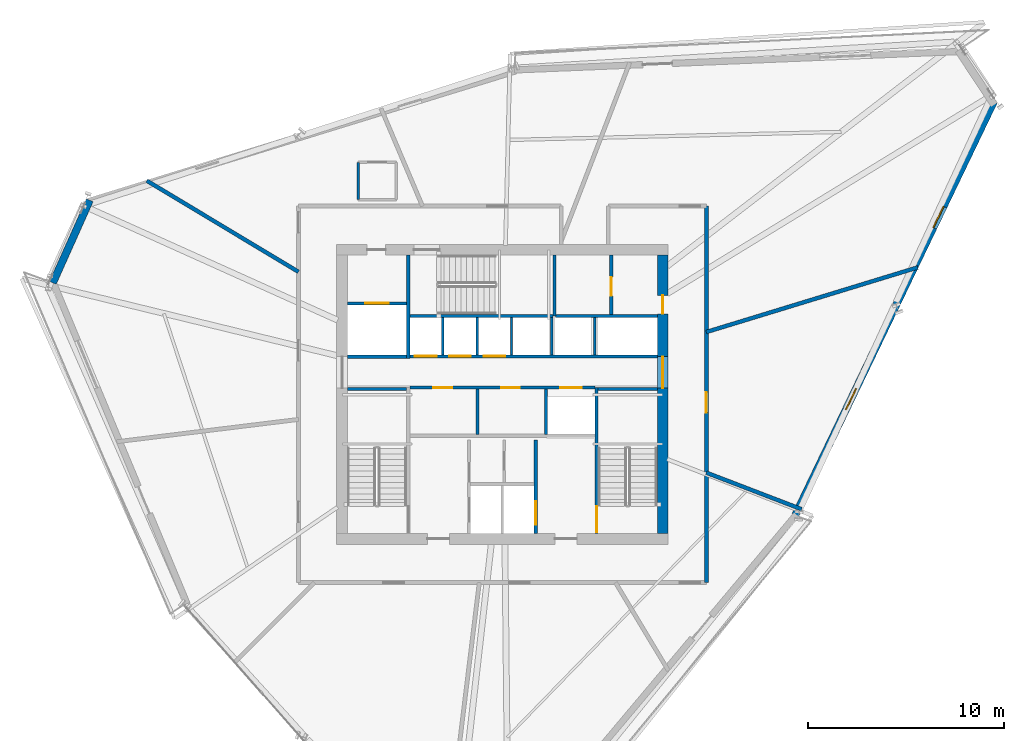
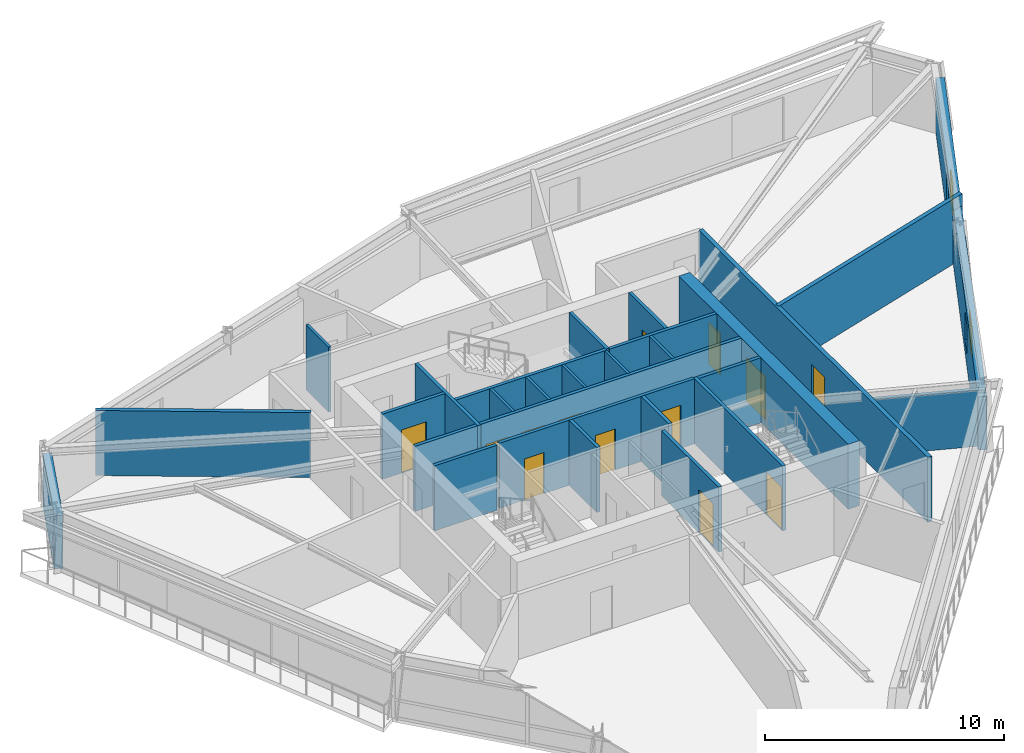
# One storey, part 9 of 13: 28 walls, 13 doors, 2 windows, 15 openings.
"""IFC4 building model written with IfcOpenShell, lengths in metres."""

from ifc_helpers import new_model, si_unit, direction, frame, frame_2d, origin, place, context, subcontext, project, spatial, rectangle, extrude, source, transform, mapped, material, layer, layer_set, type_object, type_shapes, element, fill, save


model = new_model("IFC4")

# Units and contexts
model_context = context("Model", 3, precision=1e-05, world=origin(), true_north=direction((0.0, 1.0)))
body_context = subcontext(model_context, "Body", "Model", "MODEL_VIEW")
ifc_project = project(units=[si_unit("LENGTHUNIT", "METRE"), si_unit("AREAUNIT", "SQUARE_METRE"), si_unit("VOLUMEUNIT", "CUBIC_METRE"), si_unit("PLANEANGLEUNIT", "RADIAN"), si_unit("MASSUNIT", "GRAM", prefix="KILO")], contexts=[model_context])

# Site, building, storey
site_placement = place(None, origin())
site = spatial("IfcSite", under=ifc_project, at=site_placement, CompositionType="ELEMENT")
building_placement = place(site_placement, origin())
building = spatial("IfcBuilding", under=site, at=building_placement, Name="Olszyna Solenne Hotel", CompositionType="ELEMENT")
storey_placement = place(building_placement, frame((0.0, 0.0, 171.449951171875)))
storey = spatial("IfcBuildingStorey", under=building, at=storey_placement, Name="L45", CompositionType="ELEMENT", Elevation=171.449951171875)

# Wall, openings, doors
ifc_material_1 = material(Name="Concrete C50/60", Category="concrete")
ifc_layer_1 = layer(ifc_material_1, 0.550048828125, Name="Concrete C50/60")
ifc_layer_set_1 = layer_set([ifc_layer_1], Name="Concrete C50/60")
wall_type_1 = type_object("IfcWallType", Name="WL-CR550", PredefinedType="SHEAR", material=ifc_layer_set_1)
wall_1_placement = place(storey_placement, frame((46.175048828125, 33.699951171875, 0.0), z_axis=(0.0, 0.0, 1.0), x_axis=(0.0, -1.0, 0.0)))
wall_1 = element("IfcWall", 1, at=wall_1_placement, inside=storey, type_object=wall_type_1, Name="Core shear wall WL-CR550 CRW-L45-E", PredefinedType="SHEAR", context=body_context, shape_type="SweptSolid", body=[
    extrude(rectangle(XDim=14.199951171875, YDim=0.550048828125, at=frame_2d((7.10009765625, 0.0))), origin(), (0.0, 0.0, 1.0), 3.330078125),
])
opening_1_placement = place(wall_1_placement, frame((5.179931640625, 0.0, 0.0)))
opening_1 = element("IfcOpeningElement", 2, at=opening_1_placement, cuts=wall_1, Name="Opening LHD-L45-E", PredefinedType="OPENING", context=body_context, shape_type="SweptSolid", body=[
    extrude(rectangle(XDim=1.60009765625, YDim=2.199951171875, at=frame_2d((0.800048828125, 1.10009765625))), frame((0.0, 0.28515625, 0.0), z_axis=(0.0, -1.0, 0.0), x_axis=(1.0, 0.0, 0.0)), (0.0, 0.0, 1.0), 0.570068359375),
])
opening_2_placement = place(wall_1_placement, frame((2.050048828125, 0.0, 0.0)))
opening_2 = element("IfcOpeningElement", 3, at=opening_2_placement, cuts=wall_1, Name="Opening SVD-L45-BE", PredefinedType="OPENING", context=body_context, shape_type="SweptSolid", body=[
    extrude(rectangle(XDim=0.949951171875, YDim=2.10009765625, at=frame_2d((0.47509765625, 1.050048828125))), frame((0.0, 0.28515625, 0.0), z_axis=(0.0, -1.0, 0.0), x_axis=(1.0, 0.0, 0.0)), (0.0, 0.0, 1.0), 0.570068359375),
])
ifc_material_2 = material(Name="Steel S355J2", Category="steel")
door_type_1 = type_object("IfcDoorType", Name="DR-SV1", OperationType="NOTDEFINED", PredefinedType="DOOR", material=ifc_material_2)
shared_shape_1 = source(origin(), body_context, "Body", "SweptSolid", [
    extrude(rectangle(XDim=0.949951171875, YDim=2.10009765625, at=frame_2d((0.47509765625, 1.050048828125))), frame((0.0, 0.02490234375, 0.0), z_axis=(0.0, -1.0, 0.0), x_axis=(1.0, 0.0, 0.0)), (0.0, 0.0, 1.0), 0.050048828125),
])
type_shapes(door_type_1, [shared_shape_1])
door_1_placement = place(opening_2_placement, origin())
door_1 = element("IfcDoor", 4, at=door_1_placement, inside=storey, type_object=door_type_1, Name="Housekeeping core fire door SVD-L45-BE", OperationType="SINGLE_SWING_RIGHT", OverallHeight=2.10009765625, OverallWidth=0.949951171875, PredefinedType="DOOR", context=body_context, shape_type="MappedRepresentation", body=[
    mapped(shared_shape_1, transform((0.0, 0.0, 0.0), x_axis=(1.0, 0.0, 0.0), y_axis=(0.0, 1.0, 0.0), z_axis=(0.0, 0.0, 1.0), scale=1.0)),
])
fill(opening_2, door_1)
ifc_material_3 = material(Name="Timber hardwood", Category="wood")
door_type_2 = type_object("IfcDoorType", Name="DR-CR1", OperationType="DOUBLE_DOOR_SINGLE_SWING", PredefinedType="DOOR", material=ifc_material_3)
shared_shape_2 = source(origin(), body_context, "Body", "SweptSolid", [
    extrude(rectangle(XDim=1.60009765625, YDim=2.199951171875, at=frame_2d((0.800048828125, 1.10009765625))), frame((0.0, 0.02490234375, 0.0), z_axis=(0.0, -1.0, 0.0), x_axis=(1.0, 0.0, 0.0)), (0.0, 0.0, 1.0), 0.050048828125),
])
type_shapes(door_type_2, [shared_shape_2])
door_2_placement = place(opening_1_placement, origin())
door_2 = element("IfcDoor", 5, at=door_2_placement, inside=storey, type_object=door_type_2, Name="Passenger lift lobby East fire door LHD-L45-E", OperationType="DOUBLE_DOOR_SINGLE_SWING", OverallHeight=2.199951171875, OverallWidth=1.60009765625, PredefinedType="DOOR", context=body_context, shape_type="MappedRepresentation", body=[
    mapped(shared_shape_2, transform((0.0, 0.0, 0.0), x_axis=(1.0, 0.0, 0.0), y_axis=(0.0, 1.0, 0.0), z_axis=(0.0, 0.0, 1.0), scale=1.0)),
])
fill(opening_1, door_2)

# Wall
ifc_material_4 = material(Name="Terracotta cladding on precast concrete C45/55", Category="masonry")
ifc_layer_2 = layer(ifc_material_4, 0.3798828125, Name="Terracotta cladding on precast concrete C45/55")
ifc_layer_set_2 = layer_set([ifc_layer_2], Name="Terracotta cladding on precast concrete C45/55")
wall_type_2 = type_object("IfcWallType", Name="WL-EX380", PredefinedType="SOLIDWALL", material=ifc_layer_set_2)
wall_2_placement = place(storey_placement, frame((15.0703125, 32.28857421875, 0.0), z_axis=(0.0, 0.0, 1.0), x_axis=(0.408277879744, 0.912857695871, 0.0)))
element("IfcWall", 6, at=wall_2_placement, inside=storey, type_object=wall_type_2, Name="Exterior terracotta-precast frame wall WL-EX380 EW-L45-06", PredefinedType="SOLIDWALL", context=body_context, shape_type="SweptSolid", body=[
    extrude(rectangle(XDim=4.614013671875, YDim=0.3798828125, at=frame_2d((2.30712890625, 0.0))), origin(), (0.0, 0.0, 1.0), 2.72216796875),
])

# Wall, openings, windows
wall_3_placement = place(storey_placement, frame((63.077392578125, 41.5546875, 0.0), z_axis=(0.0, 0.0, 1.0), x_axis=(-0.432876854569, -0.901453065211, 0.0)))
wall_3 = element("IfcWall", 7, at=wall_3_placement, inside=storey, type_object=wall_type_2, Name="Exterior terracotta-precast frame wall WL-EX380 EW-L45-10", PredefinedType="SOLIDWALL", context=body_context, shape_type="SweptSolid", body=[
    extrude(rectangle(XDim=23.4091796875, YDim=0.3798828125, at=frame_2d((11.70458984375, 0.0))), origin(), (0.0, 0.0, 1.0), 2.72216796875),
])
opening_3_placement = place(wall_3_placement, frame((5.955078125, 0.0, 0.64990234375)))
opening_3 = element("IfcOpeningElement", 8, at=opening_3_placement, cuts=wall_3, Name="Opening WN-L45-283", PredefinedType="OPENING", context=body_context, shape_type="SweptSolid", body=[
    extrude(rectangle(XDim=1.199951171875, YDim=1.5, at=frame_2d((0.60009765625, 0.75))), frame((0.0, 0.199951171875, 0.0), z_axis=(0.0, -1.0, 0.0), x_axis=(1.0, 0.0, 0.0)), (0.0, 0.0, 1.0), 0.39990234375),
])
opening_4_placement = place(wall_3_placement, frame((16.2548828125, 0.0, 0.64990234375)))
opening_4 = element("IfcOpeningElement", 9, at=opening_4_placement, cuts=wall_3, Name="Opening WN-L45-284", PredefinedType="OPENING", context=body_context, shape_type="SweptSolid", body=[
    extrude(rectangle(XDim=1.199951171875, YDim=1.5, at=frame_2d((0.60009765625, 0.75))), frame((0.0, 0.199951171875, 0.0), z_axis=(0.0, -1.0, 0.0), x_axis=(1.0, 0.0, 0.0)), (0.0, 0.0, 1.0), 0.39990234375),
])
ifc_material_5 = material(Name="Low-E triple glazing", Category="glass")
window_type = type_object("IfcWindowType", Name="WN-B1", PartitioningType="SINGLE_PANEL", PredefinedType="WINDOW", material=ifc_material_5)
shared_shape_3 = source(origin(), body_context, "Body", "SweptSolid", [
    extrude(rectangle(XDim=1.199951171875, YDim=1.5, at=frame_2d((0.60009765625, 0.75))), frame((0.0, 0.030029296875, 0.0), z_axis=(0.0, -1.0, 0.0), x_axis=(1.0, 0.0, 0.0)), (0.0, 0.0, 1.0), 0.06005859375),
])
type_shapes(window_type, [shared_shape_3])
window_1_placement = place(opening_3_placement, origin())
window_1 = element("IfcWindow", 10, at=window_1_placement, inside=storey, type_object=window_type, Name="Exterior facade window WN-B1 WN-L45-283", OverallHeight=1.5, OverallWidth=1.199951171875, PartitioningType="SINGLE_PANEL", PredefinedType="WINDOW", context=body_context, shape_type="MappedRepresentation", body=[
    mapped(shared_shape_3, transform((0.0, 0.0, 0.0), x_axis=(1.0, 0.0, 0.0), y_axis=(0.0, 1.0, 0.0), z_axis=(0.0, 0.0, 1.0), scale=1.0)),
])
fill(opening_3, window_1)
window_2_placement = place(opening_4_placement, origin())
window_2 = element("IfcWindow", 11, at=window_2_placement, inside=storey, type_object=window_type, Name="Exterior facade window WN-B1 WN-L45-284", OverallHeight=1.5, OverallWidth=1.199951171875, PartitioningType="SINGLE_PANEL", PredefinedType="WINDOW", context=body_context, shape_type="MappedRepresentation", body=[
    mapped(shared_shape_3, transform((0.0, 0.0, 0.0), x_axis=(1.0, 0.0, 0.0), y_axis=(0.0, 1.0, 0.0), z_axis=(0.0, 0.0, 1.0), scale=1.0)),
])
fill(opening_4, window_2)

# Walls
ifc_material_6 = material(Name="Acoustic gypsum partition", Category="gypsum")
ifc_layer_3 = layer(ifc_material_6, 0.125, Name="Acoustic gypsum partition")
ifc_layer_set_3 = layer_set([ifc_layer_3], Name="Acoustic gypsum partition")
wall_type_3 = type_object("IfcWallType", Name="WL-PT125", PredefinedType="PARTITIONING", material=ifc_layer_set_3)
for number, where, z_axis, x_axis, name in (
    (12, (34.965087890625, 28.60009765625, 0.0), (0.0, 0.0, 1.0), (0.0, 1.0, 0.0), "Core shaft compartment wall CW-L45-DIVN349"),
    (13, (36.715087890625, 28.60009765625, 0.0), (0.0, 0.0, 1.0), (0.0, 1.0, 0.0), "Core shaft compartment wall CW-L45-DIVN367"),
    (14, (38.465087890625, 28.60009765625, 0.0), (0.0, 0.0, 1.0), (0.0, 1.0, 0.0), "Core shaft compartment wall CW-L45-DIVN384"),
    (15, (40.52490234375, 28.60009765625, 0.0), (0.0, 0.0, 1.0), (0.0, 1.0, 0.0), "Core shaft compartment wall CW-L45-DIVEX405"),
    (16, (42.699951171875, 28.60009765625, 0.0), (0.0, 0.0, 1.0), (0.0, 1.0, 0.0), "Core shaft compartment wall CW-L45-DIVEX427"),
):
    element("IfcWall", number, at=place(storey_placement, frame(where, z_axis=z_axis, x_axis=x_axis)), inside=storey, type_object=wall_type_3, Name=name, PredefinedType="PARTITIONING", context=body_context, shape_type="SweptSolid", body=[
        extrude(rectangle(XDim=1.919921875, YDim=0.125, at=frame_2d((0.9599609375, 0.0))), origin(), (0.0, 0.0, 1.0), 3.330078125),
    ])
wall_4_placement = place(storey_placement, frame((30.64306640625, 38.43310546875, 0.0), z_axis=(0.0, 0.0, 1.0), x_axis=(0.0, -1.0, 0.0)))
element("IfcWall", 17, at=wall_4_placement, inside=storey, type_object=wall_type_3, Name="Interior acoustic partition WL-PT125 PW-L45-2531", PredefinedType="PARTITIONING", context=body_context, shape_type="SweptSolid", body=[
    extrude(rectangle(XDim=1.900146484375, YDim=0.125, at=frame_2d((0.9501953125, 0.0))), origin(), (0.0, 0.0, 1.0), 3.330078125),
])
ifc_layer_4 = layer(ifc_material_6, 0.159912109375, Name="Acoustic gypsum partition")
ifc_layer_set_4 = layer_set([ifc_layer_4], Name="Acoustic gypsum partition")
wall_type_4 = type_object("IfcWallType", Name="WL-PT160", PredefinedType="PARTITIONING", material=ifc_layer_set_4)
wall_5_placement = place(storey_placement, frame((30.10009765625, 26.8798828125, 0.0), z_axis=(0.0, 0.0, 1.0), x_axis=(1.0, 0.0, 0.0)))
element("IfcWall", 18, at=wall_5_placement, inside=storey, type_object=wall_type_4, Name="Core shaft compartment wall CW-L45-ST1N", PredefinedType="PARTITIONING", context=body_context, shape_type="SweptSolid", body=[
    extrude(rectangle(XDim=3.02001953125, YDim=0.159912109375, at=frame_2d((1.510009765625, 0.0))), origin(), (0.0, 0.0, 1.0), 3.330078125),
])

# Wall, opening, door
wall_6_placement = place(storey_placement, frame((42.800048828125, 26.9599609375, 0.0), z_axis=(0.0, 0.0, 1.0), x_axis=(0.0, -1.0, 0.0)))
wall_6 = element("IfcWall", 19, at=wall_6_placement, inside=storey, type_object=wall_type_4, Name="Core shaft compartment wall CW-L45-ST2W", PredefinedType="PARTITIONING", context=body_context, shape_type="SweptSolid", body=[
    extrude(rectangle(XDim=7.4599609375, YDim=0.159912109375, at=frame_2d((3.72998046875, 0.0))), origin(), (0.0, 0.0, 1.0), 3.330078125),
])
opening_5_placement = place(wall_6_placement, frame((6.06005859375, 0.0, 0.0)))
opening_5 = element("IfcOpeningElement", 20, at=opening_5_placement, cuts=wall_6, Name="Opening STD-L45-02", PredefinedType="OPENING", context=body_context, shape_type="SweptSolid", body=[
    extrude(rectangle(XDim=1.320068359375, YDim=2.199951171875, at=frame_2d((0.66015625, 1.10009765625))), frame((0.0, 0.08984375, 0.0), z_axis=(0.0, -1.0, 0.0), x_axis=(1.0, 0.0, 0.0)), (0.0, 0.0, 1.0), 0.179931640625),
])
door_type_3 = type_object("IfcDoorType", Name="DR-ST1", OperationType="NOTDEFINED", PredefinedType="DOOR", material=ifc_material_2)
shared_shape_4 = source(origin(), body_context, "Body", "SweptSolid", [
    extrude(rectangle(XDim=1.320068359375, YDim=2.199951171875, at=frame_2d((0.66015625, 1.10009765625))), frame((0.0, 0.02490234375, 0.0), z_axis=(0.0, -1.0, 0.0), x_axis=(1.0, 0.0, 0.0)), (0.0, 0.0, 1.0), 0.050048828125),
])
type_shapes(door_type_3, [shared_shape_4])
door_3_placement = place(opening_5_placement, origin())
door_3 = element("IfcDoor", 21, at=door_3_placement, inside=storey, type_object=door_type_3, Name="Pressurised exit stair ST2 fire door STD-L45-02", OperationType="SINGLE_SWING_RIGHT", OverallHeight=2.199951171875, OverallWidth=1.320068359375, PredefinedType="DOOR", context=body_context, shape_type="MappedRepresentation", body=[
    mapped(shared_shape_4, transform((0.0, 0.0, 0.0), x_axis=(1.0, 0.0, 0.0), y_axis=(0.0, 1.0, 0.0), z_axis=(0.0, 0.0, 1.0), scale=1.0)),
])
fill(opening_5, door_3)

# Walls
wall_7_placement = place(storey_placement, frame((42.8798828125, 26.8798828125, 0.0), z_axis=(0.0, 0.0, 1.0), x_axis=(1.0, 0.0, 0.0)))
element("IfcWall", 22, at=wall_7_placement, inside=storey, type_object=wall_type_4, Name="Core shaft compartment wall CW-L45-ST2N", PredefinedType="PARTITIONING", context=body_context, shape_type="SweptSolid", body=[
    extrude(rectangle(XDim=3.02001953125, YDim=0.159912109375, at=frame_2d((1.510009765625, 0.0))), origin(), (0.0, 0.0, 1.0), 3.330078125),
])
wall_8_placement = place(storey_placement, frame((33.280029296875, 30.60009765625, 0.0), z_axis=(0.0, 0.0, 1.0), x_axis=(1.0, 0.0, 0.0)))
element("IfcWall", 23, at=wall_8_placement, inside=storey, type_object=wall_type_4, Name="Core shaft compartment wall CW-L45-ST3S", PredefinedType="PARTITIONING", context=body_context, shape_type="SweptSolid", body=[
    extrude(rectangle(XDim=7.300048828125, YDim=0.159912109375, at=frame_2d((3.64990234375, 0.0))), origin(), (0.0, 0.0, 1.0), 3.330078125),
])
wall_9_placement = place(storey_placement, frame((40.659912109375, 30.60009765625, 0.0), z_axis=(0.0, 0.0, 1.0), x_axis=(0.0, 1.0, 0.0)))
element("IfcWall", 24, at=wall_9_placement, inside=storey, type_object=wall_type_4, Name="Core shaft compartment wall CW-L45-ST3E", PredefinedType="PARTITIONING", context=body_context, shape_type="SweptSolid", body=[
    extrude(rectangle(XDim=3.099853515625, YDim=0.159912109375, at=frame_2d((1.5498046875, 0.0))), origin(), (0.0, 0.0, 1.0), 3.330078125),
])

# Wall, opening, door
wall_10_placement = place(storey_placement, frame((39.699951171875, 24.280029296875, 0.0), z_axis=(0.0, 0.0, 1.0), x_axis=(0.0, -1.0, 0.0)))
wall_10 = element("IfcWall", 25, at=wall_10_placement, inside=storey, type_object=wall_type_4, Name="Core shaft compartment wall CW-L45-FF2E", PredefinedType="PARTITIONING", context=body_context, shape_type="SweptSolid", body=[
    extrude(rectangle(XDim=4.780029296875, YDim=0.159912109375, at=frame_2d((2.39013671875, 0.0))), origin(), (0.0, 0.0, 1.0), 3.330078125),
])
opening_6_placement = place(wall_10_placement, frame((3.1201171875, 0.0, 0.0)))
opening_6 = element("IfcOpeningElement", 26, at=opening_6_placement, cuts=wall_10, Name="Opening LD-L45-FF2", PredefinedType="OPENING", context=body_context, shape_type="SweptSolid", body=[
    extrude(rectangle(XDim=1.199951171875, YDim=2.199951171875, at=frame_2d((0.60009765625, 1.10009765625))), frame((0.0, 0.08984375, 0.0), z_axis=(0.0, -1.0, 0.0), x_axis=(1.0, 0.0, 0.0)), (0.0, 0.0, 1.0), 0.179931640625),
])
door_type_4 = type_object("IfcDoorType", Name="LD-FF1", OperationType="DOUBLE_DOOR_SLIDING", PredefinedType="DOOR", material=ifc_material_2)
shared_shape_5 = source(origin(), body_context, "Body", "SweptSolid", [
    extrude(rectangle(XDim=1.199951171875, YDim=2.199951171875, at=frame_2d((0.60009765625, 1.10009765625))), frame((0.0, 0.02490234375, 0.0), z_axis=(0.0, -1.0, 0.0), x_axis=(1.0, 0.0, 0.0)), (0.0, 0.0, 1.0), 0.050048828125),
])
type_shapes(door_type_4, [shared_shape_5])
door_4_placement = place(opening_6_placement, origin())
door_4 = element("IfcDoor", 27, at=door_4_placement, inside=storey, type_object=door_type_4, Name="Firefighters lift FF2 sliding landing door LD-L45-FF2", OperationType="DOUBLE_DOOR_SLIDING", OverallHeight=2.199951171875, OverallWidth=1.199951171875, PredefinedType="DOOR", context=body_context, shape_type="MappedRepresentation", body=[
    mapped(shared_shape_5, transform((0.0, 0.0, 0.0), x_axis=(1.0, 0.0, 0.0), y_axis=(0.0, 1.0, 0.0), z_axis=(0.0, 0.0, 1.0), scale=1.0)),
])
fill(opening_6, door_4)

# Walls
wall_11_placement = place(storey_placement, frame((30.10009765625, 28.52001953125, 0.0), z_axis=(0.0, 0.0, 1.0), x_axis=(1.0, 0.0, 0.0)))
element("IfcWall", 28, at=wall_11_placement, inside=storey, type_object=wall_type_4, Name="Core shaft compartment wall CW-L45-SV1S", PredefinedType="PARTITIONING", context=body_context, shape_type="SweptSolid", body=[
    extrude(rectangle(XDim=3.02001953125, YDim=0.159912109375, at=frame_2d((1.510009765625, 0.0))), origin(), (0.0, 0.0, 1.0), 3.330078125),
])
wall_12_placement = place(storey_placement, frame((33.199951171875, 28.43994140625, 0.0), z_axis=(0.0, 0.0, 1.0), x_axis=(0.0, 1.0, 0.0)))
element("IfcWall", 29, at=wall_12_placement, inside=storey, type_object=wall_type_4, Name="Core shaft compartment wall CW-L45-SV1E", PredefinedType="PARTITIONING", context=body_context, shape_type="SweptSolid", body=[
    extrude(rectangle(XDim=5.260009765625, YDim=0.159912109375, at=frame_2d((2.6298828125, 0.0))), origin(), (0.0, 0.0, 1.0), 3.330078125),
])

# Wall, opening, door
wall_13_placement = place(storey_placement, frame((30.10009765625, 31.239990234375, 0.0), z_axis=(0.0, 0.0, 1.0), x_axis=(1.0, 0.0, 0.0)))
wall_13 = element("IfcWall", 30, at=wall_13_placement, inside=storey, type_object=wall_type_4, Name="Core shaft compartment wall CW-L45-SV1N", PredefinedType="PARTITIONING", context=body_context, shape_type="SweptSolid", body=[
    extrude(rectangle(XDim=3.02001953125, YDim=0.159912109375, at=frame_2d((1.510009765625, 0.0))), origin(), (0.0, 0.0, 1.0), 3.330078125),
])
opening_7_placement = place(wall_13_placement, frame((0.909912109375, 0.0, 0.0)))
opening_7 = element("IfcOpeningElement", 31, at=opening_7_placement, cuts=wall_13, Name="Opening LD-L45-SV1", PredefinedType="OPENING", context=body_context, shape_type="SweptSolid", body=[
    extrude(rectangle(XDim=1.199951171875, YDim=2.199951171875, at=frame_2d((0.60009765625, 1.10009765625))), frame((0.0, 0.08984375, 0.0), z_axis=(0.0, -1.0, 0.0), x_axis=(1.0, 0.0, 0.0)), (0.0, 0.0, 1.0), 0.179931640625),
])
door_5_placement = place(opening_7_placement, origin())
door_5 = element("IfcDoor", 32, at=door_5_placement, inside=storey, type_object=door_type_4, Name="Service lift SV1 sliding landing door LD-L45-SV1", OperationType="DOUBLE_DOOR_SLIDING", OverallHeight=2.199951171875, OverallWidth=1.199951171875, PredefinedType="DOOR", context=body_context, shape_type="MappedRepresentation", body=[
    mapped(shared_shape_5, transform((0.0, 0.0, 0.0), x_axis=(1.0, 0.0, 0.0), y_axis=(0.0, 1.0, 0.0), z_axis=(0.0, 0.0, 1.0), scale=1.0)),
])
fill(opening_7, door_5)

# Wall, openings, doors
wall_14_placement = place(storey_placement, frame((33.280029296875, 26.949951171875, 0.0), z_axis=(0.0, 0.0, 1.0), x_axis=(1.0, 0.0, 0.0)))
wall_14 = element("IfcWall", 33, at=wall_14_placement, inside=storey, type_object=wall_type_4, Name="Core shaft compartment wall CW-L45-LRS", PredefinedType="PARTITIONING", context=body_context, shape_type="SweptSolid", body=[
    extrude(rectangle(XDim=9.43994140625, YDim=0.159912109375, at=frame_2d((4.719970703125, 0.0))), origin(), (0.0, 0.0, 1.0), 3.330078125),
])
opening_8_placement = place(wall_14_placement, frame((1.199951171875, 0.0, 0.0)))
opening_8 = element("IfcOpeningElement", 34, at=opening_8_placement, cuts=wall_14, Name="Opening SVD-L45-L71", PredefinedType="OPENING", context=body_context, shape_type="SweptSolid", body=[
    extrude(rectangle(XDim=0.949951171875, YDim=2.10009765625, at=frame_2d((0.47509765625, 1.050048828125))), frame((0.0, 0.08984375, 0.0), z_axis=(0.0, -1.0, 0.0), x_axis=(1.0, 0.0, 0.0)), (0.0, 0.0, 1.0), 0.179931640625),
])
opening_9_placement = place(wall_14_placement, frame((4.64990234375, 0.0, 0.0)))
opening_9 = element("IfcOpeningElement", 35, at=opening_9_placement, cuts=wall_14, Name="Opening SVD-L45-L72", PredefinedType="OPENING", context=body_context, shape_type="SweptSolid", body=[
    extrude(rectangle(XDim=0.949951171875, YDim=2.10009765625, at=frame_2d((0.47509765625, 1.050048828125))), frame((0.0, 0.08984375, 0.0), z_axis=(0.0, -1.0, 0.0), x_axis=(1.0, 0.0, 0.0)), (0.0, 0.0, 1.0), 0.179931640625),
])
opening_10_placement = place(wall_14_placement, frame((7.669921875, 0.0, 0.0)))
opening_10 = element("IfcOpeningElement", 36, at=opening_10_placement, cuts=wall_14, Name="Opening LD-L45-PL5", PredefinedType="OPENING", context=body_context, shape_type="SweptSolid", body=[
    extrude(rectangle(XDim=1.10009765625, YDim=2.199951171875, at=frame_2d((0.550048828125, 1.10009765625))), frame((0.0, 0.08984375, 0.0), z_axis=(0.0, -1.0, 0.0), x_axis=(1.0, 0.0, 0.0)), (0.0, 0.0, 1.0), 0.179931640625),
])
door_6_placement = place(opening_8_placement, origin())
door_6 = element("IfcDoor", 37, at=door_6_placement, inside=storey, type_object=door_type_1, Name="Recaptured core room fire door SVD-L45-L71", OperationType="SINGLE_SWING_LEFT", OverallHeight=2.10009765625, OverallWidth=0.949951171875, PredefinedType="DOOR", context=body_context, shape_type="MappedRepresentation", body=[
    mapped(shared_shape_1, transform((0.0, 0.0, 0.0), x_axis=(1.0, 0.0, 0.0), y_axis=(0.0, 1.0, 0.0), z_axis=(0.0, 0.0, 1.0), scale=1.0)),
])
fill(opening_8, door_6)
door_7_placement = place(opening_9_placement, origin())
door_7 = element("IfcDoor", 38, at=door_7_placement, inside=storey, type_object=door_type_1, Name="Recaptured core room fire door SVD-L45-L72", OperationType="SINGLE_SWING_RIGHT", OverallHeight=2.10009765625, OverallWidth=0.949951171875, PredefinedType="DOOR", context=body_context, shape_type="MappedRepresentation", body=[
    mapped(shared_shape_1, transform((0.0, 0.0, 0.0), x_axis=(1.0, 0.0, 0.0), y_axis=(0.0, 1.0, 0.0), z_axis=(0.0, 0.0, 1.0), scale=1.0)),
])
fill(opening_9, door_7)
door_type_5 = type_object("IfcDoorType", Name="LD-P1", OperationType="DOUBLE_DOOR_SLIDING", PredefinedType="DOOR", material=ifc_material_2)
shared_shape_6 = source(origin(), body_context, "Body", "SweptSolid", [
    extrude(rectangle(XDim=1.10009765625, YDim=2.199951171875, at=frame_2d((0.550048828125, 1.10009765625))), frame((0.0, 0.02490234375, 0.0), z_axis=(0.0, -1.0, 0.0), x_axis=(1.0, 0.0, 0.0)), (0.0, 0.0, 1.0), 0.050048828125),
])
type_shapes(door_type_5, [shared_shape_6])
door_8_placement = place(opening_10_placement, origin())
door_8 = element("IfcDoor", 39, at=door_8_placement, inside=storey, type_object=door_type_5, Name="Passenger lift PL5 sliding landing door LD-L45-PL5", OperationType="DOUBLE_DOOR_SLIDING", OverallHeight=2.199951171875, OverallWidth=1.10009765625, PredefinedType="DOOR", context=body_context, shape_type="MappedRepresentation", body=[
    mapped(shared_shape_6, transform((0.0, 0.0, 0.0), x_axis=(1.0, 0.0, 0.0), y_axis=(0.0, 1.0, 0.0), z_axis=(0.0, 0.0, 1.0), scale=1.0)),
])
fill(opening_10, door_8)

# Walls
for number, where, z_axis, x_axis, name in (
    (40, (36.72998046875, 24.56005859375, 0.0), (0.0, 0.0, 1.0), (0.0, 1.0, 0.0), "Core shaft compartment wall CW-L45-LV7DIV1"),
    (41, (40.215087890625, 24.56005859375, 0.0), (0.0, 0.0, 1.0), (0.0, 1.0, 0.0), "Core shaft compartment wall CW-L45-LV7DIV2"),
):
    element("IfcWall", number, at=place(storey_placement, frame(where, z_axis=z_axis, x_axis=x_axis)), inside=storey, type_object=wall_type_4, Name=name, PredefinedType="PARTITIONING", context=body_context, shape_type="SweptSolid", body=[
        extrude(rectangle(XDim=2.31005859375, YDim=0.159912109375, at=frame_2d((1.155029296875, 0.0))), origin(), (0.0, 0.0, 1.0), 3.330078125),
    ])

# Wall, openings, doors
wall_15_placement = place(storey_placement, frame((33.280029296875, 28.5400390625, 0.0), z_axis=(0.0, 0.0, 1.0), x_axis=(1.0, 0.0, 0.0)))
wall_15 = element("IfcWall", 42, at=wall_15_placement, inside=storey, type_object=wall_type_4, Name="Core shaft compartment wall CW-L45-LRN", PredefinedType="PARTITIONING", context=body_context, shape_type="SweptSolid", body=[
    extrude(rectangle(XDim=12.619873046875, YDim=0.159912109375, at=frame_2d((6.31005859375, 0.0))), origin(), (0.0, 0.0, 1.0), 3.330078125),
])
opening_11_placement = place(wall_15_placement, frame((0.260009765625, 0.0, 0.0)))
opening_11 = element("IfcOpeningElement", 43, at=opening_11_placement, cuts=wall_15, Name="Opening LD-L45-PL6", PredefinedType="OPENING", context=body_context, shape_type="SweptSolid", body=[
    extrude(rectangle(XDim=1.10009765625, YDim=2.199951171875, at=frame_2d((0.550048828125, 1.10009765625))), frame((0.0, 0.08984375, 0.0), z_axis=(0.0, -1.0, 0.0), x_axis=(1.0, 0.0, 0.0)), (0.0, 0.0, 1.0), 0.179931640625),
])
opening_12_placement = place(wall_15_placement, frame((2.010009765625, 0.0, 0.0)))
opening_12 = element("IfcOpeningElement", 44, at=opening_12_placement, cuts=wall_15, Name="Opening LD-L45-PL7", PredefinedType="OPENING", context=body_context, shape_type="SweptSolid", body=[
    extrude(rectangle(XDim=1.10009765625, YDim=2.199951171875, at=frame_2d((0.550048828125, 1.10009765625))), frame((0.0, 0.08984375, 0.0), z_axis=(0.0, -1.0, 0.0), x_axis=(1.0, 0.0, 0.0)), (0.0, 0.0, 1.0), 0.179931640625),
])
opening_13_placement = place(wall_15_placement, frame((3.760009765625, 0.0, 0.0)))
opening_13 = element("IfcOpeningElement", 45, at=opening_13_placement, cuts=wall_15, Name="Opening LD-L45-PL8", PredefinedType="OPENING", context=body_context, shape_type="SweptSolid", body=[
    extrude(rectangle(XDim=1.10009765625, YDim=2.199951171875, at=frame_2d((0.550048828125, 1.10009765625))), frame((0.0, 0.08984375, 0.0), z_axis=(0.0, -1.0, 0.0), x_axis=(1.0, 0.0, 0.0)), (0.0, 0.0, 1.0), 0.179931640625),
])
door_9_placement = place(opening_11_placement, origin())
door_9 = element("IfcDoor", 46, at=door_9_placement, inside=storey, type_object=door_type_5, Name="Passenger lift PL6 sliding landing door LD-L45-PL6", OperationType="DOUBLE_DOOR_SLIDING", OverallHeight=2.199951171875, OverallWidth=1.10009765625, PredefinedType="DOOR", context=body_context, shape_type="MappedRepresentation", body=[
    mapped(shared_shape_6, transform((0.0, 0.0, 0.0), x_axis=(1.0, 0.0, 0.0), y_axis=(0.0, 1.0, 0.0), z_axis=(0.0, 0.0, 1.0), scale=1.0)),
])
fill(opening_11, door_9)
door_10_placement = place(opening_12_placement, origin())
door_10 = element("IfcDoor", 47, at=door_10_placement, inside=storey, type_object=door_type_5, Name="Passenger lift PL7 sliding landing door LD-L45-PL7", OperationType="DOUBLE_DOOR_SLIDING", OverallHeight=2.199951171875, OverallWidth=1.10009765625, PredefinedType="DOOR", context=body_context, shape_type="MappedRepresentation", body=[
    mapped(shared_shape_6, transform((0.0, 0.0, 0.0), x_axis=(1.0, 0.0, 0.0), y_axis=(0.0, 1.0, 0.0), z_axis=(0.0, 0.0, 1.0), scale=1.0)),
])
fill(opening_12, door_10)
door_11_placement = place(opening_13_placement, origin())
door_11 = element("IfcDoor", 48, at=door_11_placement, inside=storey, type_object=door_type_5, Name="Passenger lift PL8 sliding landing door LD-L45-PL8", OperationType="DOUBLE_DOOR_SLIDING", OverallHeight=2.199951171875, OverallWidth=1.10009765625, PredefinedType="DOOR", context=body_context, shape_type="MappedRepresentation", body=[
    mapped(shared_shape_6, transform((0.0, 0.0, 0.0), x_axis=(1.0, 0.0, 0.0), y_axis=(0.0, 1.0, 0.0), z_axis=(0.0, 0.0, 1.0), scale=1.0)),
])
fill(opening_13, door_11)

# Wall
wall_16_placement = place(storey_placement, frame((40.719970703125, 30.60009765625, 0.0), z_axis=(0.0, 0.0, 1.0), x_axis=(1.0, 0.0, 0.0)))
element("IfcWall", 49, at=wall_16_placement, inside=storey, type_object=wall_type_4, Name="Core shaft compartment wall CW-L45-LRNTOP", PredefinedType="PARTITIONING", context=body_context, shape_type="SweptSolid", body=[
    extrude(rectangle(XDim=5.179931640625, YDim=0.159912109375, at=frame_2d((2.58984375, 0.0))), origin(), (0.0, 0.0, 1.0), 3.330078125),
])

# Wall, opening, door
wall_17_placement = place(storey_placement, frame((43.550048828125, 30.679931640625, 0.0), z_axis=(0.0, 0.0, 1.0), x_axis=(0.0, 1.0, 0.0)))
wall_17 = element("IfcWall", 50, at=wall_17_placement, inside=storey, type_object=wall_type_4, Name="Core shaft compartment wall CW-L45-BOH1", PredefinedType="PARTITIONING", context=body_context, shape_type="SweptSolid", body=[
    extrude(rectangle(XDim=3.02001953125, YDim=0.159912109375, at=frame_2d((1.510009765625, 0.0))), origin(), (0.0, 0.0, 1.0), 3.330078125),
])
opening_14_placement = place(wall_17_placement, frame((0.949951171875, 0.0, 0.0)))
opening_14 = element("IfcOpeningElement", 51, at=opening_14_placement, cuts=wall_17, Name="Opening SVD-L45-BI1", PredefinedType="OPENING", context=body_context, shape_type="SweptSolid", body=[
    extrude(rectangle(XDim=0.949951171875, YDim=2.10009765625, at=frame_2d((0.47509765625, 1.050048828125))), frame((0.0, 0.08984375, 0.0), z_axis=(0.0, -1.0, 0.0), x_axis=(1.0, 0.0, 0.0)), (0.0, 0.0, 1.0), 0.179931640625),
])
door_12_placement = place(opening_14_placement, origin())
door_12 = element("IfcDoor", 52, at=door_12_placement, inside=storey, type_object=door_type_1, Name="BOH inter-room fire door SVD-L45-BI1", OperationType="SINGLE_SWING_LEFT", OverallHeight=2.10009765625, OverallWidth=0.949951171875, PredefinedType="DOOR", context=body_context, shape_type="MappedRepresentation", body=[
    mapped(shared_shape_1, transform((0.0, 0.0, 0.0), x_axis=(1.0, 0.0, 0.0), y_axis=(0.0, 1.0, 0.0), z_axis=(0.0, 0.0, 1.0), scale=1.0)),
])
fill(opening_14, door_12)

# Walls
ifc_layer_5 = layer(ifc_material_6, 0.199951171875, Name="Acoustic gypsum partition")
ifc_layer_set_5 = layer_set([ifc_layer_5], Name="Acoustic gypsum partition")
wall_type_5 = type_object("IfcWallType", Name="WL-PT200", PredefinedType="PARTITIONING", material=ifc_layer_set_5)
wall_18_placement = place(storey_placement, frame((27.60009765625, 32.84912109375, 0.0), z_axis=(0.0, 0.0, 1.0), x_axis=(-0.857180094002, 0.515016782684, 0.0)))
element("IfcWall", 53, at=wall_18_placement, inside=storey, type_object=wall_type_5, Name="Interior acoustic partition WL-PT200 PW-L45-2520", PredefinedType="PARTITIONING", context=body_context, shape_type="SweptSolid", body=[
    extrude(rectangle(XDim=9.025390625, YDim=0.199951171875, at=frame_2d((4.5126953125, 0.0))), origin(), (0.0, 0.0, 1.0), 3.330078125),
])
wall_19_placement = place(storey_placement, frame((48.39990234375, 22.60791015625, 0.0), z_axis=(0.0, 0.0, 1.0), x_axis=(0.933576236836, -0.358378863794, 0.0)))
element("IfcWall", 54, at=wall_19_placement, inside=storey, type_object=wall_type_5, Name="Interior acoustic partition WL-PT200 PW-L45-2525", PredefinedType="PARTITIONING", context=body_context, shape_type="SweptSolid", body=[
    extrude(rectangle(XDim=5.206787109375, YDim=0.199951171875, at=frame_2d((2.603515625, 0.0))), origin(), (0.0, 0.0, 1.0), 2.864990234375),
])
wall_20_placement = place(storey_placement, frame((48.39990234375, 29.779541015625, 0.0), z_axis=(0.0, 0.0, 1.0), x_axis=(0.956305507795, 0.29236924558, 0.0)))
element("IfcWall", 55, at=wall_20_placement, inside=storey, type_object=wall_type_5, Name="Interior acoustic partition WL-PT200 PW-L45-2526", PredefinedType="PARTITIONING", context=body_context, shape_type="SweptSolid", body=[
    extrude(rectangle(XDim=11.2763671875, YDim=0.199951171875, at=frame_2d((5.63818359375, 0.0))), origin(), (0.0, 0.0, 1.0), 3.330078125),
])

# Wall, opening, door
wall_21_placement = place(storey_placement, frame((48.39990234375, 17.0, 0.0), z_axis=(0.0, 0.0, 1.0), x_axis=(0.0, 1.0, 0.0)))
wall_21 = element("IfcWall", 56, at=wall_21_placement, inside=storey, type_object=wall_type_5, Name="Interior acoustic partition WL-PT200 PW-L45-2539", PredefinedType="PARTITIONING", context=body_context, shape_type="SweptSolid", body=[
    extrude(rectangle(XDim=19.199951171875, YDim=0.199951171875, at=frame_2d((9.60009765625, 0.0))), origin(), (0.0, 0.0, 1.0), 3.330078125),
])
opening_15_placement = place(wall_21_placement, frame((8.6650390625, 0.0, 0.0)))
opening_15 = element("IfcOpeningElement", 57, at=opening_15_placement, cuts=wall_21, Name="Opening DR-L45-0616", PredefinedType="OPENING", context=body_context, shape_type="SweptSolid", body=[
    extrude(rectangle(XDim=1.050048828125, YDim=2.199951171875, at=frame_2d((0.52490234375, 1.10009765625))), frame((0.0, 0.10986328125, 0.0), z_axis=(0.0, -1.0, 0.0), x_axis=(1.0, 0.0, 0.0)), (0.0, 0.0, 1.0), 0.219970703125),
])
door_type_6 = type_object("IfcDoorType", Name="DR-RM2", OperationType="NOTDEFINED", PredefinedType="DOOR", material=ifc_material_3)
shared_shape_7 = source(origin(), body_context, "Body", "SweptSolid", [
    extrude(rectangle(XDim=1.050048828125, YDim=2.199951171875, at=frame_2d((0.52490234375, 1.10009765625))), frame((0.0, 0.02490234375, 0.0), z_axis=(0.0, -1.0, 0.0), x_axis=(1.0, 0.0, 0.0)), (0.0, 0.0, 1.0), 0.050048828125),
])
type_shapes(door_type_6, [shared_shape_7])
door_13_placement = place(opening_15_placement, origin())
door_13 = element("IfcDoor", 58, at=door_13_placement, inside=storey, type_object=door_type_6, Name="Private Business Office Entrance Door DR-L45-0616", OperationType="SINGLE_SWING_LEFT", OverallHeight=2.199951171875, OverallWidth=1.050048828125, PredefinedType="DOOR", context=body_context, shape_type="MappedRepresentation", body=[
    mapped(shared_shape_7, transform((0.0, 0.0, 0.0), x_axis=(1.0, 0.0, 0.0), y_axis=(0.0, 1.0, 0.0), z_axis=(0.0, 0.0, 1.0), scale=1.0)),
])
fill(opening_15, door_13)

save(model, "model.ifc")
